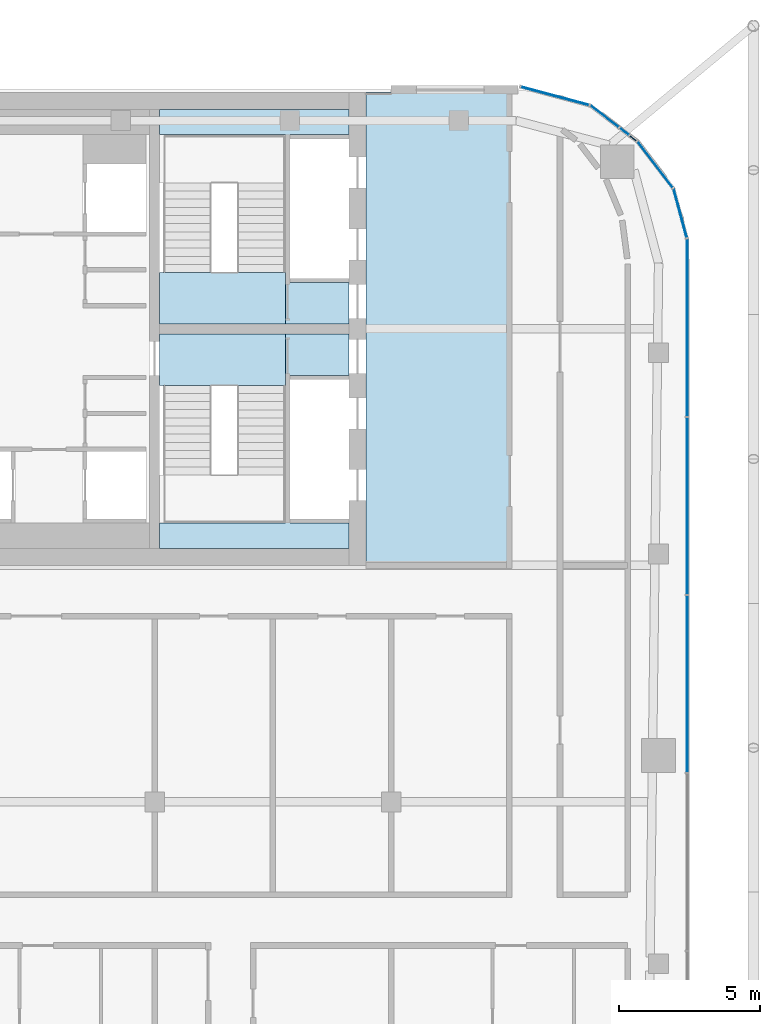
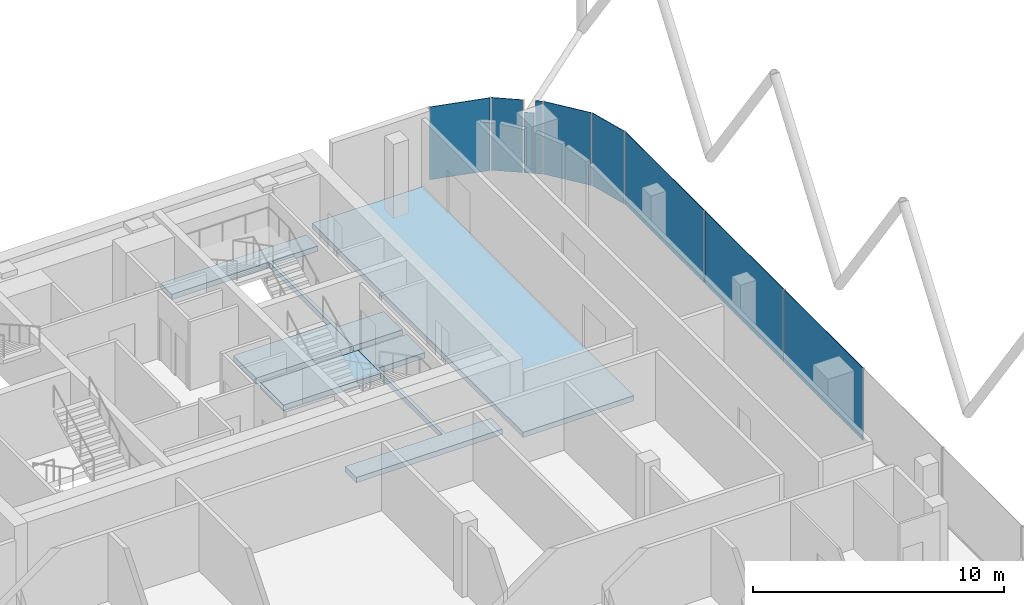
# One storey, part 20 of 27: 9 plates, 5 slabs, 7 elements without a shape of their own.
"""IFC4 building model written with IfcOpenShell, lengths in metres."""

from ifc_helpers import new_model, si_unit, direction, frame, origin, origin_2d, place, context, subcontext, project, spatial, polyline, rectangle, outline, extrude, material, layer, layer_set, type_object, element, aggregate, save


model = new_model("IFC4")

# Units and contexts
model_context = context("Model", 3, precision=1e-05, world=origin(), true_north=direction((0.0, 1.0)))
body_context = subcontext(model_context, "Body", "Model", "MODEL_VIEW")
ifc_project = project(units=[si_unit("LENGTHUNIT", "METRE"), si_unit("AREAUNIT", "SQUARE_METRE"), si_unit("VOLUMEUNIT", "CUBIC_METRE"), si_unit("PLANEANGLEUNIT", "RADIAN"), si_unit("MASSUNIT", "GRAM", prefix="KILO")], contexts=[model_context])

# Site, building, storey
site_placement = place(None, origin())
site = spatial("IfcSite", under=ifc_project, at=site_placement, CompositionType="ELEMENT")
building_placement = place(site_placement, origin())
building = spatial("IfcBuilding", under=site, at=building_placement, Name="Marenta Gate Hotel Tower", CompositionType="ELEMENT")
storey_placement = place(building_placement, frame((0.0, 0.0, 270.5)))
storey = spatial("IfcBuildingStorey", under=building, at=storey_placement, Name="L62", CompositionType="ELEMENT", Elevation=270.5)

# Slabs
ifc_material_1 = material(Name="Concrete C40", Category="concrete")
ifc_layer_1 = layer(ifc_material_1, 0.260009765625)
ifc_layer_set_1 = layer_set([ifc_layer_1], Name="Concrete C40")
slab_type_1 = type_object("IfcSlabType", Name="Core floor slab 260", PredefinedType="FLOOR", material=ifc_layer_set_1)
slab_1_placement = place(storey_placement, frame((0.0, 0.0, -0.260009765625)))
element("IfcSlab", 1, at=slab_1_placement, inside=storey, type_object=slab_type_1, Name="L62-CF-1", PredefinedType="FLOOR", context=body_context, shape_type="SweptSolid", body=[
    extrude(outline(polyline([(11.699951171875, 0.0), (11.699951171875, 16.800048828125), (16.800048828125, 16.800048828125), (16.800048828125, 0.0), (11.699951171875, 0.0)])), origin(), (0.0, 0.0, 1.0), 0.260009765625),
])
slab_2_placement = place(storey_placement, frame((0.0, 0.0, -0.260009765625)))
element("IfcSlab", 2, at=slab_2_placement, inside=storey, type_object=slab_type_1, Name="L62-CF-2", PredefinedType="FLOOR", context=body_context, shape_type="SweptSolid", body=[
    extrude(outline(polyline([(8.85009765625, 1.5), (8.85009765625, 6.39990234375), (8.85009765625, 8.10009765625), (8.85009765625, 8.22509765625), (11.10009765625, 8.22509765625), (11.10009765625, 6.75), (9.0, 6.75), (9.0, 6.60009765625), (9.0, 4.199951171875), (9.0, 4.050048828125), (9.0, 1.64990234375), (9.0, 1.5), (11.10009765625, 1.5), (11.10009765625, 0.60009765625), (4.375, 0.60009765625), (4.375, 1.5), (8.85009765625, 1.5)])), origin(), (0.0, 0.0, 1.0), 0.260009765625),
])
slab_3_placement = place(storey_placement, frame((0.0, 0.0, -0.260009765625)))
element("IfcSlab", 3, at=slab_3_placement, inside=storey, type_object=slab_type_1, Name="L62-CF-3", PredefinedType="FLOOR", context=body_context, shape_type="SweptSolid", body=[
    extrude(outline(polyline([(8.85009765625, 15.300048828125), (4.375, 15.300048828125), (4.375, 16.199951171875), (11.10009765625, 16.199951171875), (11.10009765625, 15.300048828125), (9.0, 15.300048828125), (9.0, 15.14990234375), (9.0, 12.75), (9.0, 12.60009765625), (9.0, 10.199951171875), (9.0, 10.050048828125), (11.10009765625, 10.050048828125), (11.10009765625, 8.574951171875), (8.85009765625, 8.574951171875), (8.85009765625, 8.699951171875), (8.85009765625, 10.39990234375), (8.85009765625, 15.300048828125)])), origin(), (0.0, 0.0, 1.0), 0.260009765625),
])

# Curtain wall, plates
ifc_material_2 = material(Name="Tinted insulated glass in bronze anodised frame", Category="glass")
ifc_layer_2 = layer(ifc_material_2, 0.1201171875)
ifc_layer_set_2 = layer_set([ifc_layer_2], Name="Tinted insulated glass in bronze anodised frame")
curtain_wall_type = type_object("IfcCurtainWallType", Name="Tower unitised curtain wall CW1", PredefinedType="NOTDEFINED", material=ifc_layer_set_2)
curtain_wall_1_placement = place(storey_placement, origin())
curtain_wall_1 = element("IfcCurtainWall", 4, at=curtain_wall_1_placement, inside=storey, type_object=curtain_wall_type, Name="CW1 run G17", PredefinedType="NOTDEFINED")
ifc_material_3 = material(Name="Tinted insulated glass", Category="glass")
ifc_layer_3 = layer(ifc_material_3, 0.028076171875)
ifc_layer_set_3 = layer_set([ifc_layer_3], Name="Tinted insulated glass")
plate_type = type_object("IfcPlateType", Name="Glass panel CW1 28 mm tinted insulated unit", PredefinedType="CURTAIN_PANEL", material=ifc_layer_set_3)
plate_1_placement = place(storey_placement, frame((23.114013671875, -4.214599609375, 0.06005859375), z_axis=(0.0, 0.0, 1.0), x_axis=(0.0, 1.0, 0.0)))
plate_1 = element("IfcPlate", 5, at=plate_1_placement, type_object=plate_type, Name="CW1 panel 4.1", PredefinedType="CURTAIN_PANEL", context=body_context, shape_type="SweptSolid", body=[
    extrude(rectangle(XDim=6.2626953125, YDim=0.028076171875, at=origin_2d()), origin(), (0.0, 0.0, 1.0), 3.5400390625),
])
plate_2_placement = place(storey_placement, frame((23.114013671875, 2.10791015625, 0.06005859375), z_axis=(0.0, 0.0, 1.0), x_axis=(0.0, 1.0, 0.0)))
plate_2 = element("IfcPlate", 6, at=plate_2_placement, type_object=plate_type, Name="CW1 panel 5.1", PredefinedType="CURTAIN_PANEL", context=body_context, shape_type="SweptSolid", body=[
    extrude(rectangle(XDim=6.2626953125, YDim=0.028076171875, at=origin_2d()), origin(), (0.0, 0.0, 1.0), 3.5400390625),
])
plate_3_placement = place(storey_placement, frame((23.114013671875, 8.445556640625, 0.06005859375), z_axis=(0.0, 0.0, 1.0), x_axis=(0.0, 1.0, 0.0)))
plate_3 = element("IfcPlate", 7, at=plate_3_placement, type_object=plate_type, Name="CW1 panel 6.1", PredefinedType="CURTAIN_PANEL", context=body_context, shape_type="SweptSolid", body=[
    extrude(rectangle(XDim=6.29248046875, YDim=0.028076171875, at=origin_2d()), origin(), (0.0, 0.0, 1.0), 3.5400390625),
])
aggregate(curtain_wall_1, [plate_1, plate_2, plate_3])

# Curtain wall, plate
curtain_wall_2_placement = place(storey_placement, origin())
curtain_wall_2 = element("IfcCurtainWall", 8, at=curtain_wall_2_placement, inside=storey, type_object=curtain_wall_type, Name="CW1 run G18", PredefinedType="NOTDEFINED")
plate_4_placement = place(storey_placement, frame((22.8662109375, 12.51611328125, 0.06005859375), z_axis=(0.0, 0.0, 1.0), x_axis=(-0.258824166754, 0.965924453932, 0.0)))
plate_4 = element("IfcPlate", 9, at=plate_4_placement, type_object=plate_type, Name="CW1 panel 1.1", PredefinedType="CURTAIN_PANEL", context=body_context, shape_type="SweptSolid", body=[
    extrude(rectangle(XDim=1.793701171875, YDim=0.028076171875, at=origin_2d()), origin(), (0.0, 0.0, 1.0), 3.5400390625),
])
aggregate(curtain_wall_2, [plate_4])

curtain_wall_3_placement = place(storey_placement, origin())
curtain_wall_3 = element("IfcCurtainWall", 10, at=curtain_wall_3_placement, inside=storey, type_object=curtain_wall_type, Name="CW1 run G19", PredefinedType="NOTDEFINED")
plate_5_placement = place(storey_placement, frame((21.97509765625, 14.2412109375, 0.06005859375), z_axis=(0.0, 0.0, 1.0), x_axis=(-0.608787499222, 0.793333335233, 0.0)))
plate_5 = element("IfcPlate", 11, at=plate_5_placement, type_object=plate_type, Name="CW1 panel 1.1", PredefinedType="CURTAIN_PANEL", context=body_context, shape_type="SweptSolid", body=[
    extrude(rectangle(XDim=2.045166015625, YDim=0.028076171875, at=origin_2d()), origin(), (0.0, 0.0, 1.0), 3.5400390625),
])
aggregate(curtain_wall_3, [plate_5])

curtain_wall_4_placement = place(storey_placement, origin())
curtain_wall_4 = element("IfcCurtainWall", 12, at=curtain_wall_4_placement, inside=storey, type_object=curtain_wall_type, Name="CW1 run G20", PredefinedType="NOTDEFINED")
plate_6_placement = place(storey_placement, frame((21.19873046875, 15.170654296875, 0.06005859375), z_axis=(0.0, 0.0, 1.0), x_axis=(-0.793439460386, 0.608649178675, 0.0)))
plate_6 = element("IfcPlate", 13, at=plate_6_placement, type_object=plate_type, Name="CW1 panel 1.1", PredefinedType="CURTAIN_PANEL", context=body_context, shape_type="SweptSolid", body=[
    extrude(rectangle(XDim=0.267822265625, YDim=0.028076171875, at=origin_2d()), origin(), (0.0, 0.0, 1.0), 3.5400390625),
])
aggregate(curtain_wall_4, [plate_6])

curtain_wall_5_placement = place(storey_placement, origin())
curtain_wall_5 = element("IfcCurtainWall", 14, at=curtain_wall_5_placement, inside=storey, type_object=curtain_wall_type, Name="CW1 run G21", PredefinedType="NOTDEFINED")
plate_7_placement = place(storey_placement, frame((20.88427734375, 15.411865234375, 0.06005859375), z_axis=(0.0, 0.0, 1.0), x_axis=(-0.79328756954, 0.608847133535, 0.0)))
plate_7 = element("IfcPlate", 15, at=plate_7_placement, type_object=plate_type, Name="CW1 panel 1.1", PredefinedType="CURTAIN_PANEL", context=body_context, shape_type="SweptSolid", body=[
    extrude(rectangle(XDim=0.404541015625, YDim=0.028076171875, at=origin_2d()), origin(), (0.0, 0.0, 1.0), 2.9404296875),
])
aggregate(curtain_wall_5, [plate_7])

curtain_wall_6_placement = place(storey_placement, origin())
curtain_wall_6 = element("IfcCurtainWall", 16, at=curtain_wall_6_placement, inside=storey, type_object=curtain_wall_type, Name="CW1 run G22", PredefinedType="NOTDEFINED")
plate_8_placement = place(storey_placement, frame((20.179443359375, 15.952880859375, 0.06005859375), z_axis=(0.0, 0.0, 1.0), x_axis=(-0.793323017557, 0.608800944328, 0.0)))
plate_8 = element("IfcPlate", 17, at=plate_8_placement, type_object=plate_type, Name="CW1 panel 1.1", PredefinedType="CURTAIN_PANEL", context=body_context, shape_type="SweptSolid", body=[
    extrude(rectangle(XDim=1.252685546875, YDim=0.028076171875, at=origin_2d()), origin(), (0.0, 0.0, 1.0), 3.5400390625),
])
aggregate(curtain_wall_6, [plate_8])

curtain_wall_7_placement = place(storey_placement, origin())
curtain_wall_7 = element("IfcCurtainWall", 18, at=curtain_wall_7_placement, inside=storey, type_object=curtain_wall_type, Name="CW1 run G23", PredefinedType="NOTDEFINED")
plate_9_placement = place(storey_placement, frame((18.41943359375, 16.672607421875, 0.06005859375), z_axis=(0.0, 0.0, 1.0), x_axis=(-0.96592961764, 0.258804895175, 0.0)))
plate_9 = element("IfcPlate", 19, at=plate_9_placement, type_object=plate_type, Name="CW1 panel 1.1", PredefinedType="CURTAIN_PANEL", context=body_context, shape_type="SweptSolid", body=[
    extrude(rectangle(XDim=2.4951171875, YDim=0.028076171875, at=origin_2d()), origin(), (0.0, 0.0, 1.0), 3.5400390625),
])
aggregate(curtain_wall_7, [plate_9])

# Slabs
ifc_material_4 = material(Name="Concrete C40", Category="concrete")
ifc_layer_4 = layer(ifc_material_4, 0.300048828125)
ifc_layer_set_4 = layer_set([ifc_layer_4], Name="Concrete C40")
slab_type_2 = type_object("IfcSlabType", Name="Stair floor landing slab 300", PredefinedType="FLOOR", material=ifc_layer_set_4)
slab_4_placement = place(storey_placement, frame((0.0, 0.0, -0.300048828125)))
element("IfcSlab", 20, at=slab_4_placement, inside=storey, type_object=slab_type_2, Name="L62-CL-ST3-1", PredefinedType="FLOOR", context=body_context, shape_type="SweptSolid", body=[
    extrude(outline(polyline([(4.375, 6.39990234375), (4.375, 8.22509765625), (8.85009765625, 8.22509765625), (8.85009765625, 8.10009765625), (8.85009765625, 6.39990234375), (4.375, 6.39990234375)])), origin(), (0.0, 0.0, 1.0), 0.300048828125),
])
slab_5_placement = place(storey_placement, frame((0.0, 0.0, -0.300048828125)))
element("IfcSlab", 21, at=slab_5_placement, inside=storey, type_object=slab_type_2, Name="L62-CL-ST4-1", PredefinedType="FLOOR", context=body_context, shape_type="SweptSolid", body=[
    extrude(outline(polyline([(4.375, 8.574951171875), (4.375, 10.39990234375), (8.85009765625, 10.39990234375), (8.85009765625, 8.699951171875), (8.85009765625, 8.574951171875), (4.375, 8.574951171875)])), origin(), (0.0, 0.0, 1.0), 0.300048828125),
])

save(model, "model.ifc")
